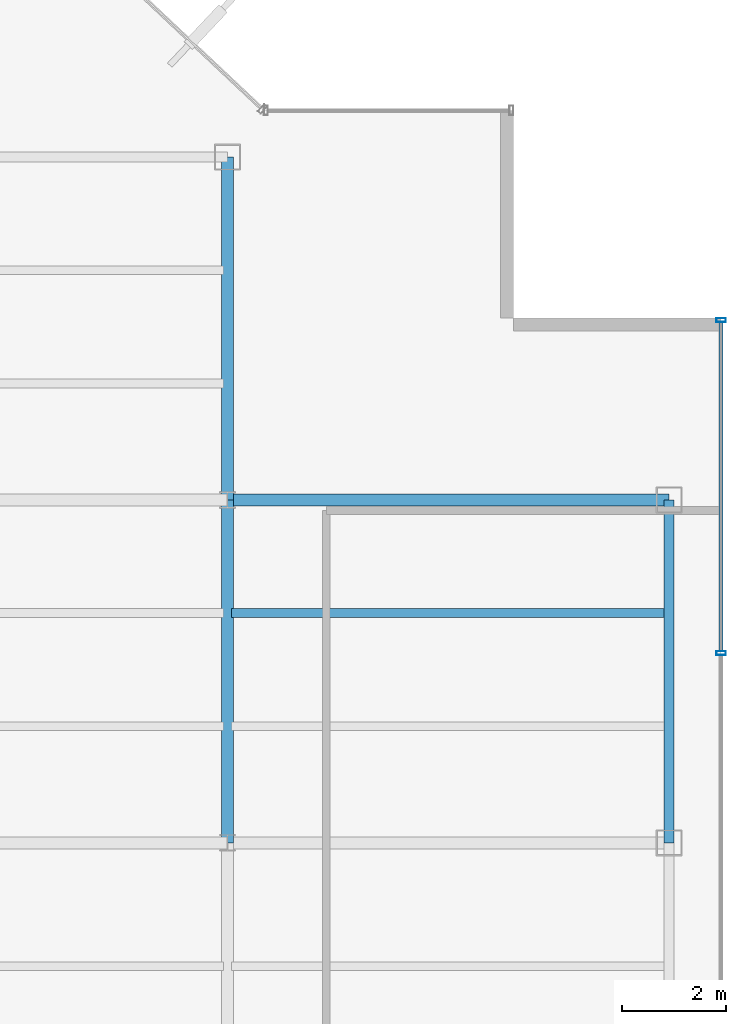
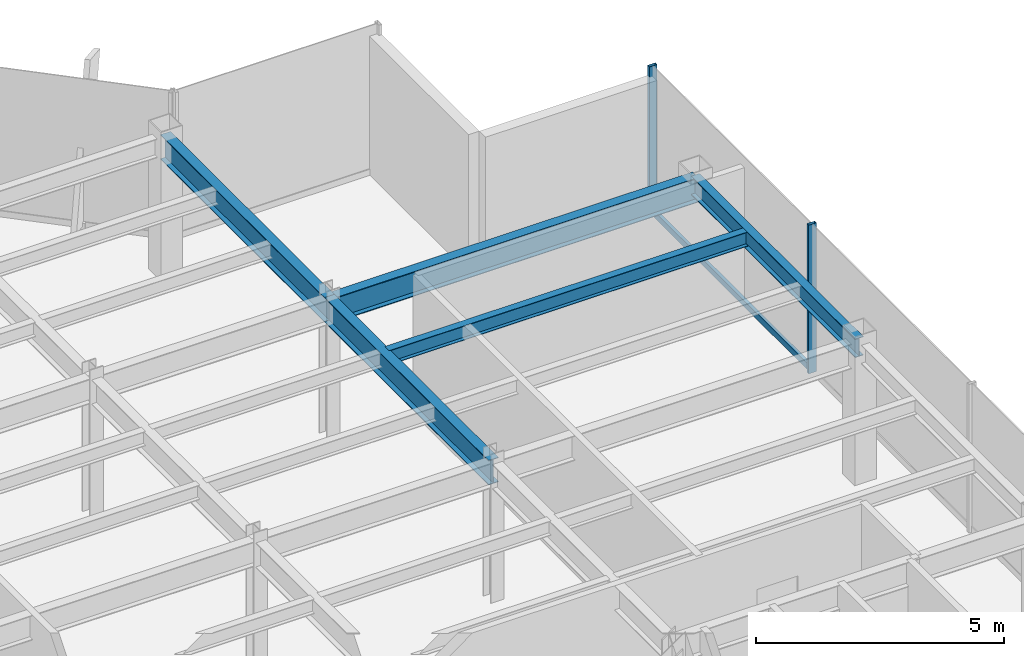
# One storey, part 11 of 22: 5 beams, 3 members, 1 element without a shape of its own.
"""IFC4 building model written with IfcOpenShell, lengths in metres."""

from ifc_helpers import new_model, si_unit, derived_unit, direction, frame, origin, origin_2d, place, context, subcontext, project, spatial, hollow_rectangle, i_section, extrude, source, transform, mapped, material, material_profile, profile_set, type_object, element, aggregate, save


model = new_model("IFC4")

# Units and contexts
model_context = context("Model", 3, precision=1e-05, world=origin(), true_north=direction((0.0, 1.0)))
body_context = subcontext(model_context, "Body", "Model", "MODEL_VIEW")
ifc_project = project(units=[si_unit("LENGTHUNIT", "METRE"), si_unit("AREAUNIT", "SQUARE_METRE"), si_unit("VOLUMEUNIT", "CUBIC_METRE"), si_unit("PLANEANGLEUNIT", "RADIAN"), si_unit("MASSUNIT", "GRAM", prefix="KILO"), derived_unit("THERMALTRANSMITTANCEUNIT", [(si_unit("POWERUNIT", "WATT"), 1), (si_unit("LENGTHUNIT", "METRE"), -2), (si_unit("THERMODYNAMICTEMPERATUREUNIT", "KELVIN"), -1)])], contexts=[model_context])

# Site, building, storey
site_placement = place(None, origin())
site = spatial("IfcSite", under=ifc_project, at=site_placement, CompositionType="ELEMENT")
building_placement = place(site_placement, origin())
building = spatial("IfcBuilding", under=site, at=building_placement, Name="Skarnbrae Concourse Arena and Tower", CompositionType="ELEMENT")
storey_placement = place(building_placement, frame((0.0, 0.0, 192.25)))
storey = spatial("IfcBuildingStorey", under=building, at=storey_placement, Name="L49", CompositionType="ELEMENT", Elevation=192.25)

# Beams
ifc_material_1 = material(Name="Steel CSA G40.21 350W", Category="steel")
ifc_material_profile_1 = material_profile(ifc_material_1, i_section(OverallWidth=0.22802734375, OverallDepth=0.60791015625, WebThickness=0.01123046875, FlangeThickness=0.017333984375, at=origin_2d()), Name="W610X113")
ifc_profile_set_1 = profile_set([ifc_material_profile_1], Name="Steel CSA G40.21 350W")
beam_type_1 = type_object("IfcBeamType", Name="BM-GIRD-W610X113", PredefinedType="BEAM", material=ifc_profile_set_1)
shared_shape_1 = source(origin(), body_context, "Body", "SweptSolid", [
    extrude(i_section(OverallWidth=0.22802734375, OverallDepth=0.60791015625, WebThickness=0.01123046875, FlangeThickness=0.017333984375, at=origin_2d()), origin(), (0.0, 0.0, 1.0), 6.60009765625),
])
beam_1_placement = place(storey_placement, frame((33.5, 21.199951171875, 3.095947265625), z_axis=(0.0, 1.0, 0.0), x_axis=(-1.0, 0.0, 0.0)))
element("IfcBeam", 1, at=beam_1_placement, inside=storey, type_object=beam_type_1, Name="L49 Primary N-S girder X33.5-2", PredefinedType="BEAM", context=body_context, shape_type="MappedRepresentation", body=[
    mapped(shared_shape_1, transform((0.0, 0.0, 0.0))),
])
shared_shape_2 = source(origin(), body_context, "Body", "SweptSolid", [
    extrude(i_section(OverallWidth=0.22802734375, OverallDepth=0.60791015625, WebThickness=0.01123046875, FlangeThickness=0.017333984375, at=origin_2d()), origin(), (0.0, 0.0, 1.0), 8.5),
])
beam_2_placement = place(storey_placement, frame((33.5, 27.800048828125, 3.095947265625), z_axis=(1.0, 0.0, 0.0), x_axis=(0.0, 1.0, 0.0)))
element("IfcBeam", 2, at=beam_2_placement, inside=storey, type_object=beam_type_1, Name="L49 Primary E-W girder Y27.8-6", PredefinedType="BEAM", context=body_context, shape_type="MappedRepresentation", body=[
    mapped(shared_shape_2, transform((0.0, 0.0, 0.0))),
])
ifc_material_profile_2 = material_profile(ifc_material_1, i_section(OverallWidth=0.19091796875, OverallDepth=0.4599609375, WebThickness=0.010009765625, FlangeThickness=0.01611328125, at=origin_2d()), Name="W460X82")
ifc_profile_set_2 = profile_set([ifc_material_profile_2], Name="Steel CSA G40.21 350W")
beam_type_2 = type_object("IfcBeamType", Name="BM-SPAN-W460X82", PredefinedType="SPANDREL", material=ifc_profile_set_2)
shared_shape_3 = source(origin(), body_context, "Body", "SweptSolid", [
    extrude(i_section(OverallWidth=0.19091796875, OverallDepth=0.4599609375, WebThickness=0.010009765625, FlangeThickness=0.01611328125, at=origin_2d()), origin(), (0.0, 0.0, 1.0), 6.60009765625),
])
beam_3_placement = place(storey_placement, frame((42.0, 21.199951171875, 3.169921875), z_axis=(0.0, 1.0, 0.0), x_axis=(-1.0, 0.0, 0.0)))
element("IfcBeam", 3, at=beam_3_placement, inside=storey, type_object=beam_type_2, Name="L49 Perimeter spandrel X42.0-3", PredefinedType="SPANDREL", context=body_context, shape_type="MappedRepresentation", body=[
    mapped(shared_shape_3, transform((0.0, 0.0, 0.0))),
])
shared_shape_4 = source(origin(), body_context, "Body", "SweptSolid", [
    extrude(i_section(OverallWidth=0.22802734375, OverallDepth=0.60791015625, WebThickness=0.01123046875, FlangeThickness=0.017333984375, at=origin_2d()), origin(), (0.0, 0.0, 1.0), 6.599853515625),
])
beam_4_placement = place(storey_placement, frame((33.5, 27.800048828125, 3.095947265625), z_axis=(0.0, 1.0, 0.0), x_axis=(-1.0, 0.0, 0.0)))
element("IfcBeam", 4, at=beam_4_placement, inside=storey, type_object=beam_type_1, Name="L49 Primary N-S girder X33.5-3", PredefinedType="BEAM", context=body_context, shape_type="MappedRepresentation", body=[
    mapped(shared_shape_4, transform((0.0, 0.0, 0.0))),
])
ifc_material_profile_3 = material_profile(ifc_material_1, i_section(OverallWidth=0.1708984375, OverallDepth=0.35498046875, WebThickness=0.007080078125, FlangeThickness=0.01171875, at=origin_2d()), Name="W360X51")
ifc_profile_set_3 = profile_set([ifc_material_profile_3], Name="Steel CSA G40.21 350W")
beam_type_3 = type_object("IfcBeamType", Name="BM-JOIST-W360X51", PredefinedType="JOIST", material=ifc_profile_set_3)
shared_shape_5 = source(origin(), body_context, "Body", "SweptSolid", [
    extrude(i_section(OverallWidth=0.1708984375, OverallDepth=0.35498046875, WebThickness=0.007080078125, FlangeThickness=0.01171875, at=origin_2d()), origin(), (0.0, 0.0, 1.0), 8.33984375),
])
beam_5_placement = place(storey_placement, frame((33.580078125, 25.6220703125, 3.222412109375), z_axis=(1.0, 0.0, 0.0), x_axis=(0.0, 1.0, 0.0)))
element("IfcBeam", 5, at=beam_5_placement, inside=storey, type_object=beam_type_3, Name="L49 Secondary floor joist 2.2.6", PredefinedType="JOIST", context=body_context, shape_type="MappedRepresentation", body=[
    mapped(shared_shape_5, transform((0.0, 0.0, 0.0))),
])

# Curtain wall, members
ifc_material_2 = material(Name="Bronze anodised aluminium 6063-T6", Category="aluminium")
curtain_wall_type = type_object("IfcCurtainWallType", Name="CW-SYS-05-HIGHZONE", PredefinedType="USERDEFINED", material=ifc_material_2)
curtain_wall_placement = place(storey_placement, origin())
curtain_wall = element("IfcCurtainWall", 6, at=curtain_wall_placement, inside=storey, type_object=curtain_wall_type, Name="L49 Unitised curtain wall CW-L49-E04", ObjectType="UNITISED CURTAIN WALL", PredefinedType="USERDEFINED")
ifc_material_profile_4 = material_profile(ifc_material_2, hollow_rectangle(XDim=0.074951171875, YDim=0.179931640625, WallThickness=0.00390625, at=origin_2d()), Name="ALU-MULL-75X180")
ifc_profile_set_4 = profile_set([ifc_material_profile_4], Name="Bronze anodised aluminium 6063-T6")
member_type_1 = type_object("IfcMemberType", Name="CWM-CW-05", PredefinedType="MULLION", material=ifc_profile_set_4)
shared_shape_6 = source(origin(), body_context, "Body", "SweptSolid", [
    extrude(hollow_rectangle(XDim=0.074951171875, YDim=0.179931640625, WallThickness=0.00390625, at=origin_2d()), origin(), (0.0, 0.0, 1.0), 3.64990234375),
])
member_1_placement = place(storey_placement, frame((43.0, 24.85009765625, 0.0), z_axis=(0.0, 0.0, 1.0), x_axis=(0.0, 1.0, 0.0)))
member_1 = element("IfcMember", 7, at=member_1_placement, type_object=member_type_1, Name="CW-L49-E04 Mullion 4", PredefinedType="MULLION", context=body_context, shape_type="MappedRepresentation", body=[
    mapped(shared_shape_6, transform((0.0, 0.0, 0.0))),
])
member_2_placement = place(storey_placement, frame((43.0, 31.262451171875, 0.0), z_axis=(0.0, 0.0, 1.0), x_axis=(0.0, 1.0, 0.0)))
member_2 = element("IfcMember", 8, at=member_2_placement, type_object=member_type_1, Name="CW-L49-E04 Mullion 5", PredefinedType="MULLION", context=body_context, shape_type="MappedRepresentation", body=[
    mapped(shared_shape_6, transform((0.0, 0.0, 0.0))),
])
ifc_material_profile_5 = material_profile(ifc_material_2, hollow_rectangle(XDim=0.074951171875, YDim=0.14990234375, WallThickness=0.00390625, at=origin_2d()), Name="ALU-TRAN-75X150")
ifc_profile_set_5 = profile_set([ifc_material_profile_5], Name="Bronze anodised aluminium 6063-T6")
member_type_2 = type_object("IfcMemberType", Name="CWT-CW-05", PredefinedType="USERDEFINED", material=ifc_profile_set_5)
shared_shape_7 = source(origin(), body_context, "Body", "SweptSolid", [
    extrude(hollow_rectangle(XDim=0.074951171875, YDim=0.14990234375, WallThickness=0.00390625, at=origin_2d()), origin(), (0.0, 0.0, 1.0), 6.337646484375),
])
member_3_placement = place(storey_placement, frame((43.0, 24.887451171875, 0.074951171875), z_axis=(0.0, 1.0, 0.0), x_axis=(-1.0, 0.0, 0.0)))
member_3 = element("IfcMember", 9, at=member_3_placement, type_object=member_type_2, Name="CW-L49-E04 Transom 4", ObjectType="TRANSOM", PredefinedType="USERDEFINED", context=body_context, shape_type="MappedRepresentation", body=[
    mapped(shared_shape_7, transform((0.0, 0.0, 0.0))),
])
aggregate(curtain_wall, [member_1, member_2, member_3])

save(model, "model.ifc")
